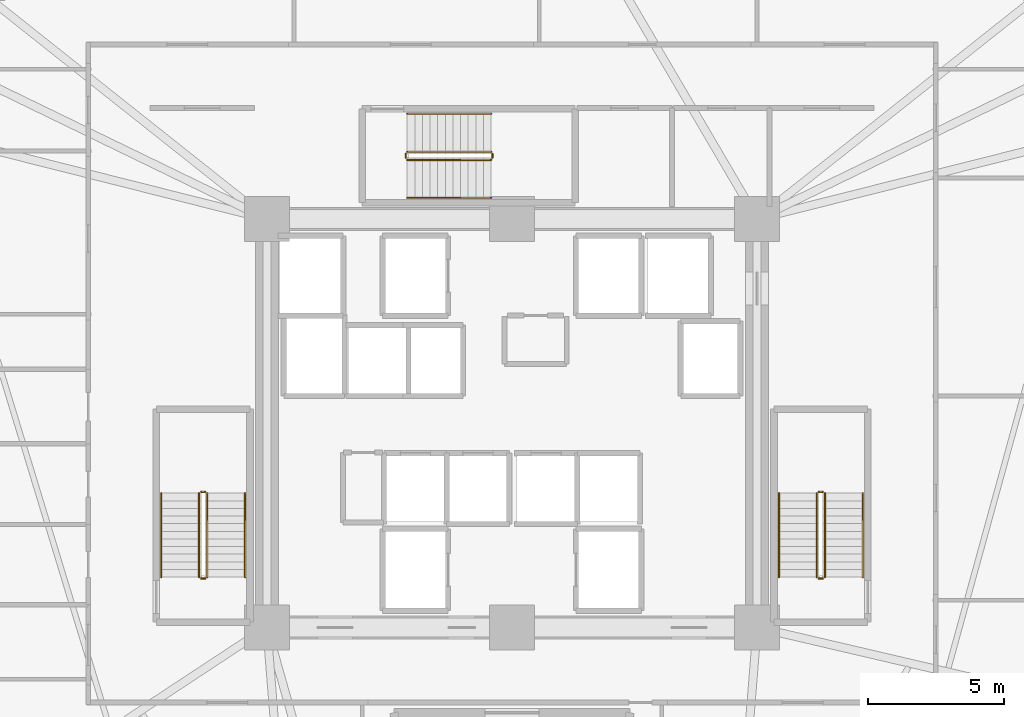
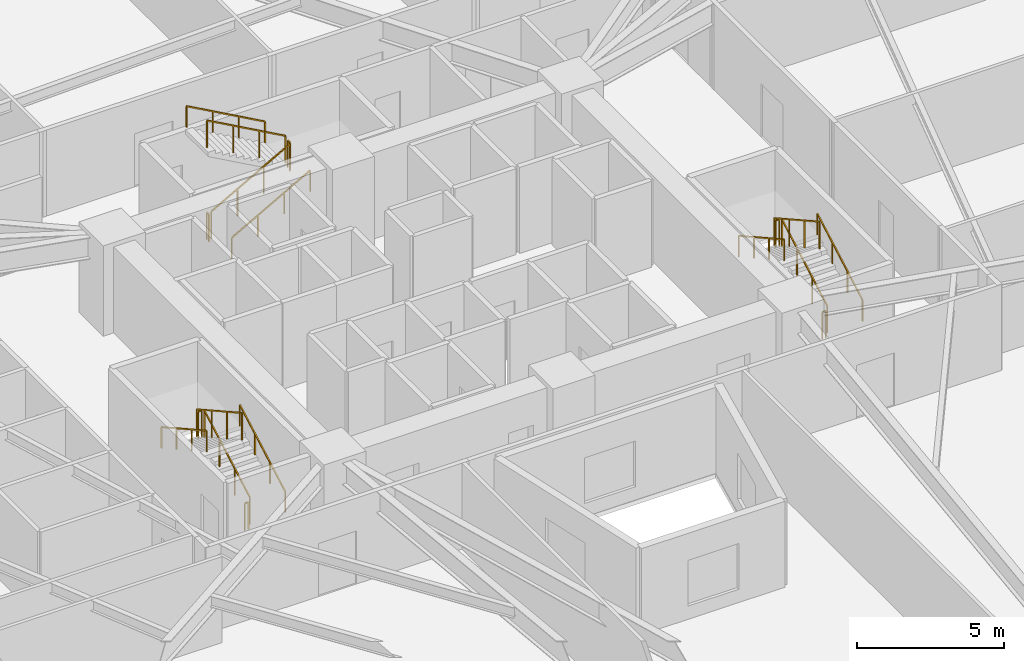
# One storey, part 9 of 9: 18 railings.
"""IFC4 building model written with IfcOpenShell, lengths in metres."""

from ifc_helpers import new_model, si_unit, direction, frame, origin, origin_2d, place, context, subcontext, project, spatial, rectangle, extrude, material, type_object, element, save


model = new_model("IFC4")

# Units and contexts
model_context = context("Model", 3, precision=1e-05, world=origin(), true_north=direction((0.0, 1.0)))
body_context = subcontext(model_context, "Body", "Model", "MODEL_VIEW")
ifc_project = project(units=[si_unit("LENGTHUNIT", "METRE"), si_unit("AREAUNIT", "SQUARE_METRE"), si_unit("VOLUMEUNIT", "CUBIC_METRE"), si_unit("PLANEANGLEUNIT", "RADIAN"), si_unit("MASSUNIT", "GRAM", prefix="KILO")], contexts=[model_context])

# Site, building, storey
site_placement = place(None, origin())
site = spatial("IfcSite", under=ifc_project, at=site_placement, CompositionType="ELEMENT")
building_placement = place(site_placement, origin())
building = spatial("IfcBuilding", under=site, at=building_placement, Name="Liaohun Quay Tower", CompositionType="ELEMENT")
storey_placement = place(building_placement, frame((0.0, 0.0, 55.5)))
storey = spatial("IfcBuildingStorey", under=building, at=storey_placement, Name="L14", CompositionType="ELEMENT", Elevation=55.5)

# Railings
ifc_material_1 = material(Name="Painted tubular steel", Category="steel")
railing_type_1 = type_object("IfcRailingType", Name="RLG-GUARD-STR", PredefinedType="GUARDRAIL", material=ifc_material_1)
railing_1_placement = place(storey_placement, frame((48.81005859375, 48.35009765625, 0.15625)))
element("IfcRailing", 1, at=railing_1_placement, inside=storey, type_object=railing_type_1, Name="L14 ST-1 stair guard 1", PredefinedType="GUARDRAIL", context=body_context, shape_type="SweptSolid", body=[
    extrude(rectangle(XDim=0.048095703125, YDim=0.048095703125, at=origin_2d()), frame((0.0, 0.0, 1.1259765625), z_axis=(0.0, 0.873225103656, 0.487317061414), x_axis=(-1.0, 0.0, 0.0)), (0.0, 0.0, 1.0), 3.52685546875),
    extrude(rectangle(XDim=0.0419921875, YDim=0.0419921875, at=origin_2d()), origin(), (0.0, 0.0, 1.0), 1.101806640625),
    extrude(rectangle(XDim=0.0419921875, YDim=0.0419921875, at=origin_2d()), frame((0.0, 1.026611328125, 0.572998046875)), (0.0, 0.0, 1.0), 1.101806640625),
    extrude(rectangle(XDim=0.0419921875, YDim=0.0419921875, at=origin_2d()), frame((0.0, 2.05322265625, 1.145751953125)), (0.0, 0.0, 1.0), 1.101806640625),
    extrude(rectangle(XDim=0.0419921875, YDim=0.0419921875, at=origin_2d()), frame((0.0, 3.079833984375, 1.71875)), (0.0, 0.0, 1.0), 1.101806640625),
])
railing_2_placement = place(storey_placement, frame((48.72998046875, 51.47998046875, 1.875)))
element("IfcRailing", 2, at=railing_2_placement, inside=storey, type_object=railing_type_1, Name="L14 ST-1 stair guard 2", PredefinedType="GUARDRAIL", context=body_context, shape_type="SweptSolid", body=[
    extrude(rectangle(XDim=0.048095703125, YDim=0.048095703125, at=origin_2d()), frame((0.0, 0.0, 1.1259765625), z_axis=(-1.0, 0.0, 0.0), x_axis=(0.0, -1.0, 0.0)), (0.0, 0.0, 1.0), 0.139892578125),
    extrude(rectangle(XDim=0.0419921875, YDim=0.0419921875, at=origin_2d()), origin(), (0.0, 0.0, 1.0), 1.101806640625),
    extrude(rectangle(XDim=0.0419921875, YDim=0.0419921875, at=origin_2d()), frame((-0.139892578125, 0.0, 0.0)), (0.0, 0.0, 1.0), 1.101806640625),
])
railing_3_placement = place(storey_placement, frame((48.510009765625, 51.429931640625, 2.03125)))
element("IfcRailing", 3, at=railing_3_placement, inside=storey, type_object=railing_type_1, Name="L14 ST-1 stair guard 3", PredefinedType="GUARDRAIL", context=body_context, shape_type="SweptSolid", body=[
    extrude(rectangle(XDim=0.048095703125, YDim=0.048095703125, at=origin_2d()), frame((0.0, 0.0, 1.1259765625), z_axis=(0.0, -0.873225103656, 0.487317061414), x_axis=(1.0, 0.0, 0.0)), (0.0, 0.0, 1.0), 3.52685546875),
    extrude(rectangle(XDim=0.0419921875, YDim=0.0419921875, at=origin_2d()), origin(), (0.0, 0.0, 1.0), 1.101806640625),
    extrude(rectangle(XDim=0.0419921875, YDim=0.0419921875, at=origin_2d()), frame((0.0, -1.026611328125, 0.572998046875)), (0.0, 0.0, 1.0), 1.101806640625),
    extrude(rectangle(XDim=0.0419921875, YDim=0.0419921875, at=origin_2d()), frame((0.0, -2.05322265625, 1.145751953125)), (0.0, 0.0, 1.0), 1.101806640625),
    extrude(rectangle(XDim=0.0419921875, YDim=0.0419921875, at=origin_2d()), frame((0.0, -3.079833984375, 1.71875)), (0.0, 0.0, 1.0), 1.101806640625),
])
railing_4_placement = place(storey_placement, frame((48.72998046875, 48.300048828125, 0.0)))
element("IfcRailing", 4, at=railing_4_placement, inside=storey, type_object=railing_type_1, Name="L14 ST-1 stair guard 4", PredefinedType="GUARDRAIL", context=body_context, shape_type="SweptSolid", body=[
    extrude(rectangle(XDim=0.048095703125, YDim=0.048095703125, at=origin_2d()), frame((0.0, 0.0, 1.1259765625), z_axis=(-1.0, 0.0, 0.0), x_axis=(0.0, -1.0, 0.0)), (0.0, 0.0, 1.0), 0.139892578125),
    extrude(rectangle(XDim=0.0419921875, YDim=0.0419921875, at=origin_2d()), origin(), (0.0, 0.0, 1.0), 1.101806640625),
    extrude(rectangle(XDim=0.0419921875, YDim=0.0419921875, at=origin_2d()), frame((-0.139892578125, 0.0, 0.0)), (0.0, 0.0, 1.0), 1.101806640625),
])
railing_5_placement = place(storey_placement, frame((71.489990234375, 48.35009765625, 0.15625)))
element("IfcRailing", 5, at=railing_5_placement, inside=storey, type_object=railing_type_1, Name="L14 ST-2 stair guard 1", PredefinedType="GUARDRAIL", context=body_context, shape_type="SweptSolid", body=[
    extrude(rectangle(XDim=0.048095703125, YDim=0.048095703125, at=origin_2d()), frame((0.0, 0.0, 1.1259765625), z_axis=(0.0, 0.873225103656, 0.487317061414), x_axis=(-1.0, 0.0, 0.0)), (0.0, 0.0, 1.0), 3.52685546875),
    extrude(rectangle(XDim=0.0419921875, YDim=0.0419921875, at=origin_2d()), origin(), (0.0, 0.0, 1.0), 1.101806640625),
    extrude(rectangle(XDim=0.0419921875, YDim=0.0419921875, at=origin_2d()), frame((0.0, 1.026611328125, 0.572998046875)), (0.0, 0.0, 1.0), 1.101806640625),
    extrude(rectangle(XDim=0.0419921875, YDim=0.0419921875, at=origin_2d()), frame((0.0, 2.05322265625, 1.145751953125)), (0.0, 0.0, 1.0), 1.101806640625),
    extrude(rectangle(XDim=0.0419921875, YDim=0.0419921875, at=origin_2d()), frame((0.0, 3.079833984375, 1.71875)), (0.0, 0.0, 1.0), 1.101806640625),
])
railing_6_placement = place(storey_placement, frame((71.409912109375, 51.47998046875, 1.875)))
element("IfcRailing", 6, at=railing_6_placement, inside=storey, type_object=railing_type_1, Name="L14 ST-2 stair guard 2", PredefinedType="GUARDRAIL", context=body_context, shape_type="SweptSolid", body=[
    extrude(rectangle(XDim=0.048095703125, YDim=0.048095703125, at=origin_2d()), frame((0.0, 0.0, 1.1259765625), z_axis=(-1.0, 0.0, 0.0), x_axis=(0.0, -1.0, 0.0)), (0.0, 0.0, 1.0), 0.139892578125),
    extrude(rectangle(XDim=0.0419921875, YDim=0.0419921875, at=origin_2d()), origin(), (0.0, 0.0, 1.0), 1.101806640625),
    extrude(rectangle(XDim=0.0419921875, YDim=0.0419921875, at=origin_2d()), frame((-0.139892578125, 0.0, 0.0)), (0.0, 0.0, 1.0), 1.101806640625),
])
railing_7_placement = place(storey_placement, frame((71.18994140625, 51.429931640625, 2.03125)))
element("IfcRailing", 7, at=railing_7_placement, inside=storey, type_object=railing_type_1, Name="L14 ST-2 stair guard 3", PredefinedType="GUARDRAIL", context=body_context, shape_type="SweptSolid", body=[
    extrude(rectangle(XDim=0.048095703125, YDim=0.048095703125, at=origin_2d()), frame((0.0, 0.0, 1.1259765625), z_axis=(0.0, -0.873225103656, 0.487317061414), x_axis=(1.0, 0.0, 0.0)), (0.0, 0.0, 1.0), 3.52685546875),
    extrude(rectangle(XDim=0.0419921875, YDim=0.0419921875, at=origin_2d()), origin(), (0.0, 0.0, 1.0), 1.101806640625),
    extrude(rectangle(XDim=0.0419921875, YDim=0.0419921875, at=origin_2d()), frame((0.0, -1.026611328125, 0.572998046875)), (0.0, 0.0, 1.0), 1.101806640625),
    extrude(rectangle(XDim=0.0419921875, YDim=0.0419921875, at=origin_2d()), frame((0.0, -2.05322265625, 1.145751953125)), (0.0, 0.0, 1.0), 1.101806640625),
    extrude(rectangle(XDim=0.0419921875, YDim=0.0419921875, at=origin_2d()), frame((0.0, -3.079833984375, 1.71875)), (0.0, 0.0, 1.0), 1.101806640625),
])
railing_8_placement = place(storey_placement, frame((71.409912109375, 48.300048828125, 0.0)))
element("IfcRailing", 8, at=railing_8_placement, inside=storey, type_object=railing_type_1, Name="L14 ST-2 stair guard 4", PredefinedType="GUARDRAIL", context=body_context, shape_type="SweptSolid", body=[
    extrude(rectangle(XDim=0.048095703125, YDim=0.048095703125, at=origin_2d()), frame((0.0, 0.0, 1.1259765625), z_axis=(-1.0, 0.0, 0.0), x_axis=(0.0, -1.0, 0.0)), (0.0, 0.0, 1.0), 0.139892578125),
    extrude(rectangle(XDim=0.0419921875, YDim=0.0419921875, at=origin_2d()), origin(), (0.0, 0.0, 1.0), 1.101806640625),
    extrude(rectangle(XDim=0.0419921875, YDim=0.0419921875, at=origin_2d()), frame((-0.139892578125, 0.0, 0.0)), (0.0, 0.0, 1.0), 1.101806640625),
])
railing_9_placement = place(storey_placement, frame((56.14990234375, 63.669921875, 0.15625)))
element("IfcRailing", 9, at=railing_9_placement, inside=storey, type_object=railing_type_1, Name="L14 ST-3 stair guard 1", PredefinedType="GUARDRAIL", context=body_context, shape_type="SweptSolid", body=[
    extrude(rectangle(XDim=0.048095703125, YDim=0.048095703125, at=origin_2d()), frame((0.0, 0.0, 1.1259765625), z_axis=(0.873241540666, 0.0, 0.487287606713), x_axis=(0.0, 1.0, 0.0)), (0.0, 0.0, 1.0), 3.527099609375),
    extrude(rectangle(XDim=0.0419921875, YDim=0.0419921875, at=origin_2d()), origin(), (0.0, 0.0, 1.0), 1.101806640625),
    extrude(rectangle(XDim=0.0419921875, YDim=0.0419921875, at=origin_2d()), frame((1.026611328125, 0.0, 0.572998046875)), (0.0, 0.0, 1.0), 1.101806640625),
    extrude(rectangle(XDim=0.0419921875, YDim=0.0419921875, at=origin_2d()), frame((2.053466796875, 0.0, 1.145751953125)), (0.0, 0.0, 1.0), 1.101806640625),
    extrude(rectangle(XDim=0.0419921875, YDim=0.0419921875, at=origin_2d()), frame((3.080078125, 0.0, 1.71875)), (0.0, 0.0, 1.0), 1.101806640625),
])
railing_10_placement = place(storey_placement, frame((59.280029296875, 63.75, 1.875)))
element("IfcRailing", 10, at=railing_10_placement, inside=storey, type_object=railing_type_1, Name="L14 ST-3 stair guard 2", PredefinedType="GUARDRAIL", context=body_context, shape_type="SweptSolid", body=[
    extrude(rectangle(XDim=0.048095703125, YDim=0.048095703125, at=origin_2d()), frame((0.0, 0.0, 1.1259765625), z_axis=(0.0, 1.0, 0.0), x_axis=(-1.0, 0.0, 0.0)), (0.0, 0.0, 1.0), 0.139892578125),
    extrude(rectangle(XDim=0.0419921875, YDim=0.0419921875, at=origin_2d()), origin(), (0.0, 0.0, 1.0), 1.101806640625),
    extrude(rectangle(XDim=0.0419921875, YDim=0.0419921875, at=origin_2d()), frame((0.0, 0.139892578125, 0.0)), (0.0, 0.0, 1.0), 1.101806640625),
])
railing_11_placement = place(storey_placement, frame((59.22998046875, 63.969970703125, 2.03125)))
element("IfcRailing", 11, at=railing_11_placement, inside=storey, type_object=railing_type_1, Name="L14 ST-3 stair guard 3", PredefinedType="GUARDRAIL", context=body_context, shape_type="SweptSolid", body=[
    extrude(rectangle(XDim=0.048095703125, YDim=0.048095703125, at=origin_2d()), frame((0.0, 0.0, 1.1259765625), z_axis=(-0.873241540666, 0.0, 0.487287606713), x_axis=(0.0, -1.0, 0.0)), (0.0, 0.0, 1.0), 3.527099609375),
    extrude(rectangle(XDim=0.0419921875, YDim=0.0419921875, at=origin_2d()), origin(), (0.0, 0.0, 1.0), 1.101806640625),
    extrude(rectangle(XDim=0.0419921875, YDim=0.0419921875, at=origin_2d()), frame((-1.026611328125, 0.0, 0.572998046875)), (0.0, 0.0, 1.0), 1.101806640625),
    extrude(rectangle(XDim=0.0419921875, YDim=0.0419921875, at=origin_2d()), frame((-2.053466796875, 0.0, 1.145751953125)), (0.0, 0.0, 1.0), 1.101806640625),
    extrude(rectangle(XDim=0.0419921875, YDim=0.0419921875, at=origin_2d()), frame((-3.080078125, 0.0, 1.71875)), (0.0, 0.0, 1.0), 1.101806640625),
])
railing_12_placement = place(storey_placement, frame((56.10009765625, 63.75, 0.0)))
element("IfcRailing", 12, at=railing_12_placement, inside=storey, type_object=railing_type_1, Name="L14 ST-3 stair guard 4", PredefinedType="GUARDRAIL", context=body_context, shape_type="SweptSolid", body=[
    extrude(rectangle(XDim=0.048095703125, YDim=0.048095703125, at=origin_2d()), frame((0.0, 0.0, 1.1259765625), z_axis=(0.0, 1.0, 0.0), x_axis=(-1.0, 0.0, 0.0)), (0.0, 0.0, 1.0), 0.139892578125),
    extrude(rectangle(XDim=0.0419921875, YDim=0.0419921875, at=origin_2d()), origin(), (0.0, 0.0, 1.0), 1.101806640625),
    extrude(rectangle(XDim=0.0419921875, YDim=0.0419921875, at=origin_2d()), frame((0.0, 0.139892578125, 0.0)), (0.0, 0.0, 1.0), 1.101806640625),
])
ifc_material_2 = material(Name="Brushed stainless steel", Category="steel")
railing_type_2 = type_object("IfcRailingType", Name="RLG-HND-STR", PredefinedType="HANDRAIL", material=ifc_material_2)
railing_13_placement = place(storey_placement, frame((50.199951171875, 48.35009765625, 0.15625)))
element("IfcRailing", 13, at=railing_13_placement, inside=storey, type_object=railing_type_2, Name="L14 ST-1 stair handrail 1", PredefinedType="HANDRAIL", context=body_context, shape_type="SweptSolid", body=[
    extrude(rectangle(XDim=0.048095703125, YDim=0.048095703125, at=origin_2d()), frame((0.0, 0.0, 0.8759765625), z_axis=(0.0, 0.873225103656, 0.487317061414), x_axis=(-1.0, 0.0, 0.0)), (0.0, 0.0, 1.0), 3.52685546875),
    extrude(rectangle(XDim=0.0419921875, YDim=0.0419921875, at=origin_2d()), origin(), (0.0, 0.0, 1.0), 0.851806640625),
    extrude(rectangle(XDim=0.0419921875, YDim=0.0419921875, at=origin_2d()), frame((0.0, 1.026611328125, 0.572998046875)), (0.0, 0.0, 1.0), 0.851806640625),
    extrude(rectangle(XDim=0.0419921875, YDim=0.0419921875, at=origin_2d()), frame((0.0, 2.05322265625, 1.145751953125)), (0.0, 0.0, 1.0), 0.851806640625),
    extrude(rectangle(XDim=0.0419921875, YDim=0.0419921875, at=origin_2d()), frame((0.0, 3.079833984375, 1.71875)), (0.0, 0.0, 1.0), 0.851806640625),
])
railing_14_placement = place(storey_placement, frame((47.1201171875, 51.429931640625, 2.03125)))
element("IfcRailing", 14, at=railing_14_placement, inside=storey, type_object=railing_type_2, Name="L14 ST-1 stair handrail 2", PredefinedType="HANDRAIL", context=body_context, shape_type="SweptSolid", body=[
    extrude(rectangle(XDim=0.048095703125, YDim=0.048095703125, at=origin_2d()), frame((0.0, 0.0, 0.8759765625), z_axis=(0.0, -0.873225103656, 0.487317061414), x_axis=(1.0, 0.0, 0.0)), (0.0, 0.0, 1.0), 3.52685546875),
    extrude(rectangle(XDim=0.0419921875, YDim=0.0419921875, at=origin_2d()), origin(), (0.0, 0.0, 1.0), 0.851806640625),
    extrude(rectangle(XDim=0.0419921875, YDim=0.0419921875, at=origin_2d()), frame((0.0, -1.026611328125, 0.572998046875)), (0.0, 0.0, 1.0), 0.851806640625),
    extrude(rectangle(XDim=0.0419921875, YDim=0.0419921875, at=origin_2d()), frame((0.0, -2.05322265625, 1.145751953125)), (0.0, 0.0, 1.0), 0.851806640625),
    extrude(rectangle(XDim=0.0419921875, YDim=0.0419921875, at=origin_2d()), frame((0.0, -3.079833984375, 1.71875)), (0.0, 0.0, 1.0), 0.851806640625),
])
railing_15_placement = place(storey_placement, frame((72.8798828125, 48.35009765625, 0.15625)))
element("IfcRailing", 15, at=railing_15_placement, inside=storey, type_object=railing_type_2, Name="L14 ST-2 stair handrail 1", PredefinedType="HANDRAIL", context=body_context, shape_type="SweptSolid", body=[
    extrude(rectangle(XDim=0.048095703125, YDim=0.048095703125, at=origin_2d()), frame((0.0, 0.0, 0.8759765625), z_axis=(0.0, 0.873225103656, 0.487317061414), x_axis=(-1.0, 0.0, 0.0)), (0.0, 0.0, 1.0), 3.52685546875),
    extrude(rectangle(XDim=0.0419921875, YDim=0.0419921875, at=origin_2d()), origin(), (0.0, 0.0, 1.0), 0.851806640625),
    extrude(rectangle(XDim=0.0419921875, YDim=0.0419921875, at=origin_2d()), frame((0.0, 1.026611328125, 0.572998046875)), (0.0, 0.0, 1.0), 0.851806640625),
    extrude(rectangle(XDim=0.0419921875, YDim=0.0419921875, at=origin_2d()), frame((0.0, 2.05322265625, 1.145751953125)), (0.0, 0.0, 1.0), 0.851806640625),
    extrude(rectangle(XDim=0.0419921875, YDim=0.0419921875, at=origin_2d()), frame((0.0, 3.079833984375, 1.71875)), (0.0, 0.0, 1.0), 0.851806640625),
])
railing_16_placement = place(storey_placement, frame((69.800048828125, 51.429931640625, 2.03125)))
element("IfcRailing", 16, at=railing_16_placement, inside=storey, type_object=railing_type_2, Name="L14 ST-2 stair handrail 2", PredefinedType="HANDRAIL", context=body_context, shape_type="SweptSolid", body=[
    extrude(rectangle(XDim=0.048095703125, YDim=0.048095703125, at=origin_2d()), frame((0.0, 0.0, 0.8759765625), z_axis=(0.0, -0.873225103656, 0.487317061414), x_axis=(1.0, 0.0, 0.0)), (0.0, 0.0, 1.0), 3.52685546875),
    extrude(rectangle(XDim=0.0419921875, YDim=0.0419921875, at=origin_2d()), origin(), (0.0, 0.0, 1.0), 0.851806640625),
    extrude(rectangle(XDim=0.0419921875, YDim=0.0419921875, at=origin_2d()), frame((0.0, -1.026611328125, 0.572998046875)), (0.0, 0.0, 1.0), 0.851806640625),
    extrude(rectangle(XDim=0.0419921875, YDim=0.0419921875, at=origin_2d()), frame((0.0, -2.05322265625, 1.145751953125)), (0.0, 0.0, 1.0), 0.851806640625),
    extrude(rectangle(XDim=0.0419921875, YDim=0.0419921875, at=origin_2d()), frame((0.0, -3.079833984375, 1.71875)), (0.0, 0.0, 1.0), 0.851806640625),
])
railing_17_placement = place(storey_placement, frame((56.14990234375, 62.280029296875, 0.15625)))
element("IfcRailing", 17, at=railing_17_placement, inside=storey, type_object=railing_type_2, Name="L14 ST-3 stair handrail 1", PredefinedType="HANDRAIL", context=body_context, shape_type="SweptSolid", body=[
    extrude(rectangle(XDim=0.048095703125, YDim=0.048095703125, at=origin_2d()), frame((0.0, 0.0, 0.8759765625), z_axis=(0.873241540666, 0.0, 0.487287606713), x_axis=(0.0, 1.0, 0.0)), (0.0, 0.0, 1.0), 3.527099609375),
    extrude(rectangle(XDim=0.0419921875, YDim=0.0419921875, at=origin_2d()), origin(), (0.0, 0.0, 1.0), 0.851806640625),
    extrude(rectangle(XDim=0.0419921875, YDim=0.0419921875, at=origin_2d()), frame((1.026611328125, 0.0, 0.572998046875)), (0.0, 0.0, 1.0), 0.851806640625),
    extrude(rectangle(XDim=0.0419921875, YDim=0.0419921875, at=origin_2d()), frame((2.053466796875, 0.0, 1.145751953125)), (0.0, 0.0, 1.0), 0.851806640625),
    extrude(rectangle(XDim=0.0419921875, YDim=0.0419921875, at=origin_2d()), frame((3.080078125, 0.0, 1.71875)), (0.0, 0.0, 1.0), 0.851806640625),
])
railing_18_placement = place(storey_placement, frame((59.22998046875, 65.360107421875, 2.03125)))
element("IfcRailing", 18, at=railing_18_placement, inside=storey, type_object=railing_type_2, Name="L14 ST-3 stair handrail 2", PredefinedType="HANDRAIL", context=body_context, shape_type="SweptSolid", body=[
    extrude(rectangle(XDim=0.048095703125, YDim=0.048095703125, at=origin_2d()), frame((0.0, 0.0, 0.8759765625), z_axis=(-0.873241540666, 0.0, 0.487287606713), x_axis=(0.0, -1.0, 0.0)), (0.0, 0.0, 1.0), 3.527099609375),
    extrude(rectangle(XDim=0.0419921875, YDim=0.0419921875, at=origin_2d()), origin(), (0.0, 0.0, 1.0), 0.851806640625),
    extrude(rectangle(XDim=0.0419921875, YDim=0.0419921875, at=origin_2d()), frame((-1.026611328125, 0.0, 0.572998046875)), (0.0, 0.0, 1.0), 0.851806640625),
    extrude(rectangle(XDim=0.0419921875, YDim=0.0419921875, at=origin_2d()), frame((-2.053466796875, 0.0, 1.145751953125)), (0.0, 0.0, 1.0), 0.851806640625),
    extrude(rectangle(XDim=0.0419921875, YDim=0.0419921875, at=origin_2d()), frame((-3.080078125, 0.0, 1.71875)), (0.0, 0.0, 1.0), 0.851806640625),
])

save(model, "model.ifc")
